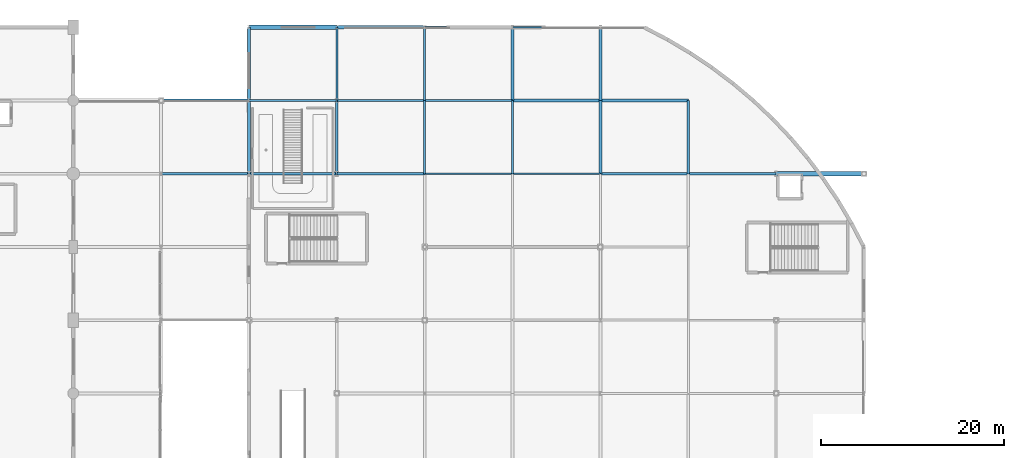
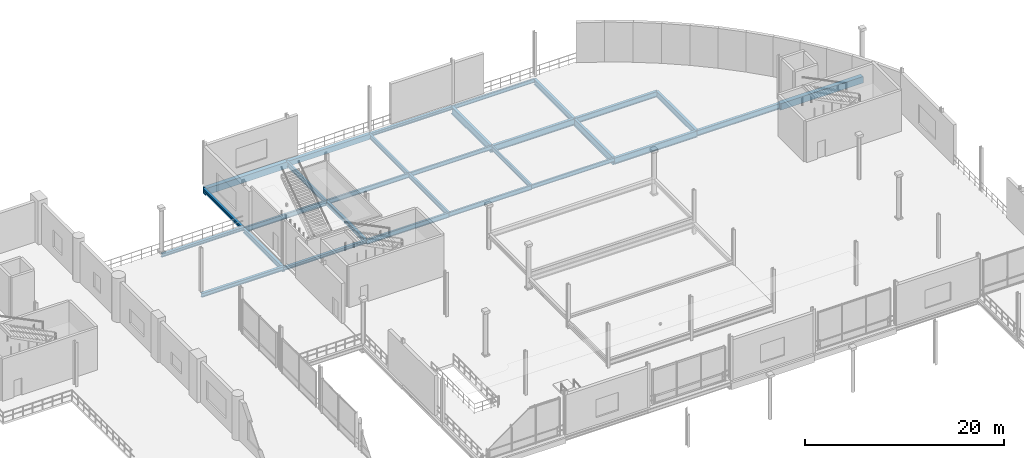
# One storey, part 68 of 129: 29 beams.
"""IFC4 building model written with IfcOpenShell, lengths in metres."""

from ifc_helpers import new_model, si_unit, direction, frame, origin, origin_2d, place, context, subcontext, project, spatial, rectangle, i_section, extrude, material, material_profile, profile_set, type_object, element, save


model = new_model("IFC4")

# Units and contexts
model_context = context("Model", 3, precision=1e-05, world=origin(), true_north=direction((0.0, 1.0)))
body_context = subcontext(model_context, "Body", "Model", "MODEL_VIEW")
ifc_project = project(units=[si_unit("LENGTHUNIT", "METRE"), si_unit("AREAUNIT", "SQUARE_METRE"), si_unit("VOLUMEUNIT", "CUBIC_METRE"), si_unit("PLANEANGLEUNIT", "RADIAN"), si_unit("MASSUNIT", "GRAM", prefix="KILO")], contexts=[model_context])

# Site, building, storey
site_placement = place(None, origin())
site = spatial("IfcSite", under=ifc_project, at=site_placement, CompositionType="ELEMENT")
building_placement = place(site_placement, origin())
building = spatial("IfcBuilding", under=site, at=building_placement, Name="Danafjord Basin Convention Centre", CompositionType="ELEMENT")
storey_placement = place(building_placement, frame((0.0, 0.0, 6.0)))
storey = spatial("IfcBuildingStorey", under=building, at=storey_placement, Name="L01", CompositionType="ELEMENT", Elevation=6.0)

# Beams
ifc_material_1 = material(Name="Steel S355", Category="steel")
ifc_material_profile_1 = material_profile(ifc_material_1, i_section(OverallWidth=0.300048828125, OverallDepth=0.389892578125, WebThickness=0.010986328125, FlangeThickness=0.01904296875, FilletRadius=0.027099609375, at=origin_2d()), Name="HEA 400")
ifc_profile_set_1 = profile_set([ifc_material_profile_1], Name="Steel S355")
beam_type_1 = type_object("IfcBeamType", Name="BEAM-BM-HEA400", PredefinedType="BEAM", material=ifc_profile_set_1)
beam_1_placement = place(storey_placement, frame((134.39990234375, 128.0, -0.554931640625), z_axis=(1.0, 0.0, 0.0), x_axis=(0.0, 1.0, 0.0)))
element("IfcBeam", 1, at=beam_1_placement, inside=storey, type_object=beam_type_1, Name="L01 girder BM-HEA400", PredefinedType="BEAM", context=body_context, shape_type="SweptSolid", body=[
    extrude(i_section(OverallWidth=0.300048828125, OverallDepth=0.389892578125, WebThickness=0.010986328125, FlangeThickness=0.01904296875, FilletRadius=0.027099609375, at=origin_2d()), origin(), (0.0, 0.0, 1.0), 9.60009765625),
])
ifc_material_profile_2 = material_profile(ifc_material_1, i_section(OverallWidth=0.300048828125, OverallDepth=0.489990234375, WebThickness=0.011962890625, FlangeThickness=0.02294921875, FilletRadius=0.027099609375, at=origin_2d()), Name="HEA 500")
ifc_profile_set_2 = profile_set([ifc_material_profile_2], Name="Steel S355")
beam_type_2 = type_object("IfcBeamType", Name="BEAM-BM-HEA500", PredefinedType="BEAM", material=ifc_profile_set_2)
beam_2_placement = place(storey_placement, frame((124.800048828125, 128.0, -0.47509765625), z_axis=(1.0, 0.0, 0.0), x_axis=(0.0, 1.0, 0.0)))
element("IfcBeam", 2, at=beam_2_placement, inside=storey, type_object=beam_type_2, Name="L01 girder BM-HEA500", PredefinedType="BEAM", context=body_context, shape_type="SweptSolid", body=[
    extrude(i_section(OverallWidth=0.300048828125, OverallDepth=0.489990234375, WebThickness=0.011962890625, FlangeThickness=0.02294921875, FilletRadius=0.027099609375, at=origin_2d()), origin(), (0.0, 0.0, 1.0), 9.599853515625),
])
ifc_material_profile_3 = material_profile(ifc_material_1, i_section(OverallWidth=0.300048828125, OverallDepth=0.5, WebThickness=0.014404296875, FlangeThickness=0.028076171875, FilletRadius=0.027099609375, at=origin_2d()), Name="HEB 500")
ifc_profile_set_3 = profile_set([ifc_material_profile_3], Name="Steel S355")
beam_type_3 = type_object("IfcBeamType", Name="BEAM-BM-HEB500", PredefinedType="BEAM", material=ifc_profile_set_3)
beam_3_placement = place(storey_placement, frame((144.0, 128.0, -0.610107421875), z_axis=(0.0, 1.0, 0.0), x_axis=(-1.0, 0.0, 0.0)))
element("IfcBeam", 3, at=beam_3_placement, inside=storey, type_object=beam_type_3, Name="L01 transverse girder BM-HEB500", PredefinedType="BEAM", context=body_context, shape_type="SweptSolid", body=[
    extrude(i_section(OverallWidth=0.300048828125, OverallDepth=0.5, WebThickness=0.014404296875, FlangeThickness=0.028076171875, FilletRadius=0.027099609375, at=origin_2d()), origin(), (0.0, 0.0, 1.0), 8.0),
])
ifc_material_profile_4 = material_profile(ifc_material_1, i_section(OverallWidth=0.300048828125, OverallDepth=0.60009765625, WebThickness=0.015380859375, FlangeThickness=0.030029296875, FilletRadius=0.027099609375, at=origin_2d()), Name="HEB 600")
ifc_profile_set_4 = profile_set([ifc_material_profile_4], Name="Steel S355")
beam_type_4 = type_object("IfcBeamType", Name="BEAM-BM-HEB600", PredefinedType="BEAM", material=ifc_profile_set_4)
beam_4_placement = place(storey_placement, frame((134.39990234375, 128.0, -0.659912109375), z_axis=(0.0, 1.0, 0.0), x_axis=(-1.0, 0.0, 0.0)))
element("IfcBeam", 4, at=beam_4_placement, inside=storey, type_object=beam_type_4, Name="L01 transverse girder BM-HEB600", PredefinedType="BEAM", context=body_context, shape_type="SweptSolid", body=[
    extrude(i_section(OverallWidth=0.300048828125, OverallDepth=0.60009765625, WebThickness=0.015380859375, FlangeThickness=0.030029296875, FilletRadius=0.027099609375, at=origin_2d()), origin(), (0.0, 0.0, 1.0), 8.0),
])
ifc_material_profile_5 = material_profile(ifc_material_1, i_section(OverallWidth=0.300048828125, OverallDepth=0.699951171875, WebThickness=0.01708984375, FlangeThickness=0.031982421875, FilletRadius=0.027099609375, at=origin_2d()), Name="HEB 700")
ifc_profile_set_5 = profile_set([ifc_material_profile_5], Name="Steel S355")
beam_type_5 = type_object("IfcBeamType", Name="BEAM-BM-HEB700", PredefinedType="BEAM", material=ifc_profile_set_5)
beam_5_placement = place(storey_placement, frame((172.800048828125, 136.0, -0.7099609375), z_axis=(1.0, 0.0, 0.0), x_axis=(0.0, 1.0, 0.0)))
element("IfcBeam", 5, at=beam_5_placement, inside=storey, type_object=beam_type_5, Name="L01 girder BM-HEB700", PredefinedType="BEAM", context=body_context, shape_type="SweptSolid", body=[
    extrude(i_section(OverallWidth=0.300048828125, OverallDepth=0.699951171875, WebThickness=0.01708984375, FlangeThickness=0.031982421875, FilletRadius=0.027099609375, at=origin_2d()), origin(), (0.0, 0.0, 1.0), 9.599853515625),
])
beam_6_placement = place(storey_placement, frame((182.39990234375, 128.0, -0.7099609375), z_axis=(1.0, 0.0, 0.0), x_axis=(0.0, 1.0, 0.0)))
element("IfcBeam", 6, at=beam_6_placement, inside=storey, type_object=beam_type_5, Name="L01 girder BM-HEB700", PredefinedType="BEAM", context=body_context, shape_type="SweptSolid", body=[
    extrude(i_section(OverallWidth=0.300048828125, OverallDepth=0.699951171875, WebThickness=0.01708984375, FlangeThickness=0.031982421875, FilletRadius=0.027099609375, at=origin_2d()), origin(), (0.0, 0.0, 1.0), 9.60009765625),
])
for number, where, z_axis, x_axis, name in (
    (7, (172.800048828125, 136.0, -0.7099609375), (0.0, 1.0, 0.0), (-1.0, 0.0, 0.0), "L01 transverse girder BM-HEB700"),
    (8, (182.39990234375, 128.0, -0.7099609375), (0.0, 1.0, 0.0), (-1.0, 0.0, 0.0), "L01 transverse girder BM-HEB700"),
):
    element("IfcBeam", number, at=place(storey_placement, frame(where, z_axis=z_axis, x_axis=x_axis)), inside=storey, type_object=beam_type_5, Name=name, PredefinedType="BEAM", context=body_context, shape_type="SweptSolid", body=[
        extrude(i_section(OverallWidth=0.300048828125, OverallDepth=0.699951171875, WebThickness=0.01708984375, FlangeThickness=0.031982421875, FilletRadius=0.027099609375, at=origin_2d()), origin(), (0.0, 0.0, 1.0), 8.0),
    ])
ifc_material_profile_6 = material_profile(ifc_material_1, i_section(OverallWidth=0.300048828125, OverallDepth=0.800048828125, WebThickness=0.017578125, FlangeThickness=0.032958984375, FilletRadius=0.030029296875, at=origin_2d()), Name="HEB 800")
ifc_profile_set_6 = profile_set([ifc_material_profile_6], Name="Steel S355")
beam_type_6 = type_object("IfcBeamType", Name="BEAM-BM-HEB800", PredefinedType="BEAM", material=ifc_profile_set_6)
beam_7_placement = place(storey_placement, frame((163.199951171875, 136.0, -0.760009765625), z_axis=(1.0, 0.0, 0.0), x_axis=(0.0, 1.0, 0.0)))
element("IfcBeam", 9, at=beam_7_placement, inside=storey, type_object=beam_type_6, Name="L01 girder BM-HEB800", PredefinedType="BEAM", context=body_context, shape_type="SweptSolid", body=[
    extrude(i_section(OverallWidth=0.300048828125, OverallDepth=0.800048828125, WebThickness=0.017578125, FlangeThickness=0.032958984375, FilletRadius=0.030029296875, at=origin_2d()), origin(), (0.0, 0.0, 1.0), 9.60009765625),
])
beam_8_placement = place(storey_placement, frame((172.800048828125, 128.0, -0.760009765625), z_axis=(1.0, 0.0, 0.0), x_axis=(0.0, 1.0, 0.0)))
element("IfcBeam", 10, at=beam_8_placement, inside=storey, type_object=beam_type_6, Name="L01 girder BM-HEB800", PredefinedType="BEAM", context=body_context, shape_type="SweptSolid", body=[
    extrude(i_section(OverallWidth=0.300048828125, OverallDepth=0.800048828125, WebThickness=0.017578125, FlangeThickness=0.032958984375, FilletRadius=0.030029296875, at=origin_2d()), origin(), (0.0, 0.0, 1.0), 9.599853515625),
])
ifc_material_profile_7 = material_profile(ifc_material_1, i_section(OverallWidth=0.300048828125, OverallDepth=0.89990234375, WebThickness=0.0185546875, FlangeThickness=0.034912109375, FilletRadius=0.030029296875, at=origin_2d()), Name="HEB 900")
ifc_profile_set_7 = profile_set([ifc_material_profile_7], Name="Steel S355")
beam_type_7 = type_object("IfcBeamType", Name="BEAM-BM-HEB900", PredefinedType="BEAM", material=ifc_profile_set_7)
for number, where, z_axis, x_axis, name in (
    (11, (163.199951171875, 136.0, -0.81005859375), (0.0, 1.0, 0.0), (-1.0, 0.0, 0.0), "L01 transverse girder BM-HEB900"),
    (12, (172.800048828125, 128.0, -0.81005859375), (0.0, 1.0, 0.0), (-1.0, 0.0, 0.0), "L01 transverse girder BM-HEB900"),
):
    element("IfcBeam", number, at=place(storey_placement, frame(where, z_axis=z_axis, x_axis=x_axis)), inside=storey, type_object=beam_type_7, Name=name, PredefinedType="BEAM", context=body_context, shape_type="SweptSolid", body=[
        extrude(i_section(OverallWidth=0.300048828125, OverallDepth=0.89990234375, WebThickness=0.0185546875, FlangeThickness=0.034912109375, FilletRadius=0.030029296875, at=origin_2d()), origin(), (0.0, 0.0, 1.0), 8.0),
    ])
ifc_material_profile_8 = material_profile(ifc_material_1, i_section(OverallWidth=0.199951171875, OverallDepth=0.5, WebThickness=0.01025390625, FlangeThickness=0.01611328125, FilletRadius=0.02099609375, at=origin_2d()), Name="IPE 500")
ifc_profile_set_8 = profile_set([ifc_material_profile_8], Name="Steel S355")
beam_type_8 = type_object("IfcBeamType", Name="BEAM-BM-IPE500", PredefinedType="BEAM", material=ifc_profile_set_8)
beam_9_placement = place(storey_placement, frame((153.60009765625, 136.0, -0.610107421875), z_axis=(1.0, 0.0, 0.0), x_axis=(0.0, 1.0, 0.0)))
element("IfcBeam", 13, at=beam_9_placement, inside=storey, type_object=beam_type_8, Name="L01 girder BM-IPE500", PredefinedType="BEAM", context=body_context, shape_type="SweptSolid", body=[
    extrude(i_section(OverallWidth=0.199951171875, OverallDepth=0.5, WebThickness=0.01025390625, FlangeThickness=0.01611328125, FilletRadius=0.02099609375, at=origin_2d()), origin(), (0.0, 0.0, 1.0), 9.599853515625),
])
beam_10_placement = place(storey_placement, frame((163.199951171875, 128.0, -0.610107421875), z_axis=(1.0, 0.0, 0.0), x_axis=(0.0, 1.0, 0.0)))
element("IfcBeam", 14, at=beam_10_placement, inside=storey, type_object=beam_type_8, Name="L01 girder BM-IPE500", PredefinedType="BEAM", context=body_context, shape_type="SweptSolid", body=[
    extrude(i_section(OverallWidth=0.199951171875, OverallDepth=0.5, WebThickness=0.01025390625, FlangeThickness=0.01611328125, FilletRadius=0.02099609375, at=origin_2d()), origin(), (0.0, 0.0, 1.0), 9.60009765625),
])
ifc_material_profile_9 = material_profile(ifc_material_1, i_section(OverallWidth=0.2099609375, OverallDepth=0.550048828125, WebThickness=0.010986328125, FlangeThickness=0.01708984375, FilletRadius=0.02392578125, at=origin_2d()), Name="IPE 550")
ifc_profile_set_9 = profile_set([ifc_material_profile_9], Name="Steel S355")
beam_type_9 = type_object("IfcBeamType", Name="BEAM-BM-IPE550", PredefinedType="BEAM", material=ifc_profile_set_9)
beam_11_placement = place(storey_placement, frame((144.0, 136.0, -0.635009765625), z_axis=(1.0, 0.0, 0.0), x_axis=(0.0, 1.0, 0.0)))
element("IfcBeam", 15, at=beam_11_placement, inside=storey, type_object=beam_type_9, Name="L01 girder BM-IPE550", PredefinedType="BEAM", context=body_context, shape_type="SweptSolid", body=[
    extrude(i_section(OverallWidth=0.2099609375, OverallDepth=0.550048828125, WebThickness=0.010986328125, FlangeThickness=0.01708984375, FilletRadius=0.02392578125, at=origin_2d()), origin(), (0.0, 0.0, 1.0), 9.60009765625),
])
beam_12_placement = place(storey_placement, frame((153.60009765625, 128.0, -0.635009765625), z_axis=(1.0, 0.0, 0.0), x_axis=(0.0, 1.0, 0.0)))
element("IfcBeam", 16, at=beam_12_placement, inside=storey, type_object=beam_type_9, Name="L01 girder BM-IPE550", PredefinedType="BEAM", context=body_context, shape_type="SweptSolid", body=[
    extrude(i_section(OverallWidth=0.2099609375, OverallDepth=0.550048828125, WebThickness=0.010986328125, FlangeThickness=0.01708984375, FilletRadius=0.02392578125, at=origin_2d()), origin(), (0.0, 0.0, 1.0), 9.599853515625),
])
for number, where, z_axis, x_axis, name in (
    (17, (153.60009765625, 136.0, -0.635009765625), (0.0, 1.0, 0.0), (-1.0, 0.0, 0.0), "L01 transverse girder BM-IPE550"),
    (18, (163.199951171875, 128.0, -0.635009765625), (0.0, 1.0, 0.0), (-1.0, 0.0, 0.0), "L01 transverse girder BM-IPE550"),
):
    element("IfcBeam", number, at=place(storey_placement, frame(where, z_axis=z_axis, x_axis=x_axis)), inside=storey, type_object=beam_type_9, Name=name, PredefinedType="BEAM", context=body_context, shape_type="SweptSolid", body=[
        extrude(i_section(OverallWidth=0.2099609375, OverallDepth=0.550048828125, WebThickness=0.010986328125, FlangeThickness=0.01708984375, FilletRadius=0.02392578125, at=origin_2d()), origin(), (0.0, 0.0, 1.0), 8.0),
    ])
ifc_material_profile_10 = material_profile(ifc_material_1, i_section(OverallWidth=0.219970703125, OverallDepth=0.60009765625, WebThickness=0.011962890625, FlangeThickness=0.01904296875, FilletRadius=0.02392578125, at=origin_2d()), Name="IPE 600")
ifc_profile_set_10 = profile_set([ifc_material_profile_10], Name="Steel S355")
beam_type_10 = type_object("IfcBeamType", Name="BEAM-BM-IPE600", PredefinedType="BEAM", material=ifc_profile_set_10)
for number, where, z_axis, x_axis, name in (
    (19, (134.39990234375, 136.0, -0.659912109375), (1.0, 0.0, 0.0), (0.0, 1.0, 0.0), "L01 girder BM-IPE600"),
    (20, (144.0, 128.0, -0.659912109375), (1.0, 0.0, 0.0), (0.0, 1.0, 0.0), "L01 girder BM-IPE600"),
):
    element("IfcBeam", number, at=place(storey_placement, frame(where, z_axis=z_axis, x_axis=x_axis)), inside=storey, type_object=beam_type_10, Name=name, PredefinedType="BEAM", context=body_context, shape_type="SweptSolid", body=[
        extrude(i_section(OverallWidth=0.219970703125, OverallDepth=0.60009765625, WebThickness=0.011962890625, FlangeThickness=0.01904296875, FilletRadius=0.02392578125, at=origin_2d()), origin(), (0.0, 0.0, 1.0), 9.60009765625),
    ])
for number, where, z_axis, x_axis, name in (
    (21, (144.0, 136.0, -0.659912109375), (0.0, 1.0, 0.0), (-1.0, 0.0, 0.0), "L01 transverse girder BM-IPE600"),
    (22, (153.60009765625, 128.0, -0.659912109375), (0.0, 1.0, 0.0), (-1.0, 0.0, 0.0), "L01 transverse girder BM-IPE600"),
):
    element("IfcBeam", number, at=place(storey_placement, frame(where, z_axis=z_axis, x_axis=x_axis)), inside=storey, type_object=beam_type_10, Name=name, PredefinedType="BEAM", context=body_context, shape_type="SweptSolid", body=[
        extrude(i_section(OverallWidth=0.219970703125, OverallDepth=0.60009765625, WebThickness=0.011962890625, FlangeThickness=0.01904296875, FilletRadius=0.02392578125, at=origin_2d()), origin(), (0.0, 0.0, 1.0), 8.0),
    ])
ifc_material_profile_11 = material_profile(ifc_material_1, i_section(OverallWidth=0.300048828125, OverallDepth=0.39990234375, WebThickness=0.013427734375, FlangeThickness=0.02392578125, FilletRadius=0.027099609375, at=origin_2d()), Name="HEB 400")
ifc_profile_set_11 = profile_set([ifc_material_profile_11], Name="Steel S355")
beam_type_11 = type_object("IfcBeamType", Name="BEAM-SP-HEB400", PredefinedType="SPANDREL", material=ifc_profile_set_11)
for number, where, z_axis, x_axis, name in (
    (23, (124.800048828125, 136.0, -0.429931640625), (1.0, 0.0, 0.0), (0.0, 1.0, 0.0), "L01 girder SP-HEB400"),
    (24, (153.60009765625, 144.0, -0.56005859375), (1.0, 0.0, 0.0), (0.0, 1.0, 0.0), "L01 girder SP-HEB400"),
):
    element("IfcBeam", number, at=place(storey_placement, frame(where, z_axis=z_axis, x_axis=x_axis)), inside=storey, type_object=beam_type_11, Name=name, PredefinedType="SPANDREL", context=body_context, shape_type="SweptSolid", body=[
        extrude(i_section(OverallWidth=0.300048828125, OverallDepth=0.39990234375, WebThickness=0.013427734375, FlangeThickness=0.02392578125, FilletRadius=0.027099609375, at=origin_2d()), origin(), (0.0, 0.0, 1.0), 9.599853515625),
    ])
ifc_material_profile_12 = material_profile(ifc_material_1, i_section(OverallWidth=0.300048828125, OverallDepth=0.449951171875, WebThickness=0.013916015625, FlangeThickness=0.02587890625, FilletRadius=0.027099609375, at=origin_2d()), Name="HEB 450")
ifc_profile_set_12 = profile_set([ifc_material_profile_12], Name="Steel S355")
beam_type_12 = type_object("IfcBeamType", Name="BEAM-SP-HEB450", PredefinedType="SPANDREL", material=ifc_profile_set_12)
beam_13_placement = place(storey_placement, frame((134.39990234375, 136.0, -0.5849609375), z_axis=(0.0, 1.0, 0.0), x_axis=(-1.0, 0.0, 0.0)))
element("IfcBeam", 25, at=beam_13_placement, inside=storey, type_object=beam_type_12, Name="L01 transverse girder SP-HEB450", PredefinedType="SPANDREL", context=body_context, shape_type="SweptSolid", body=[
    extrude(i_section(OverallWidth=0.300048828125, OverallDepth=0.449951171875, WebThickness=0.013916015625, FlangeThickness=0.02587890625, FilletRadius=0.027099609375, at=origin_2d()), origin(), (0.0, 0.0, 1.0), 8.0),
])
ifc_material_profile_13 = material_profile(ifc_material_1, i_section(OverallWidth=0.18994140625, OverallDepth=0.449951171875, WebThickness=0.009521484375, FlangeThickness=0.0146484375, FilletRadius=0.02099609375, at=origin_2d()), Name="IPE 450")
ifc_profile_set_13 = profile_set([ifc_material_profile_13], Name="Steel S355")
beam_type_13 = type_object("IfcBeamType", Name="BEAM-SP-IPE450", PredefinedType="SPANDREL", material=ifc_profile_set_13)
beam_14_placement = place(storey_placement, frame((163.199951171875, 144.0, -0.5849609375), z_axis=(1.0, 0.0, 0.0), x_axis=(0.0, 1.0, 0.0)))
element("IfcBeam", 26, at=beam_14_placement, inside=storey, type_object=beam_type_13, Name="L01 girder SP-IPE450", PredefinedType="SPANDREL", context=body_context, shape_type="SweptSolid", body=[
    extrude(i_section(OverallWidth=0.18994140625, OverallDepth=0.449951171875, WebThickness=0.009521484375, FlangeThickness=0.0146484375, FilletRadius=0.02099609375, at=origin_2d()), origin(), (0.0, 0.0, 1.0), 9.60009765625),
])
ifc_material_2 = material(Name="Precast concrete C45/55", Category="concrete")
ifc_material_profile_14 = material_profile(ifc_material_2, rectangle(XDim=0.39990234375, YDim=0.64990234375, at=origin_2d()), Name="PCB 400x650")
ifc_profile_set_14 = profile_set([ifc_material_profile_14], Name="Precast concrete C45/55")
beam_type_14 = type_object("IfcBeamType", Name="BEAM-SP-PCB650", PredefinedType="SPANDREL", material=ifc_profile_set_14)
beam_15_placement = place(storey_placement, frame((144.0, 144.0, -0.68505859375), z_axis=(1.0, 0.0, 0.0), x_axis=(0.0, 1.0, 0.0)))
element("IfcBeam", 27, at=beam_15_placement, inside=storey, type_object=beam_type_14, Name="L01 girder SP-PCB650", PredefinedType="SPANDREL", context=body_context, shape_type="SweptSolid", body=[
    extrude(rectangle(XDim=0.39990234375, YDim=0.64990234375, at=origin_2d()), origin(), (0.0, 0.0, 1.0), 9.60009765625),
])
ifc_material_profile_15 = material_profile(ifc_material_2, rectangle(XDim=0.5, YDim=0.800048828125, at=origin_2d()), Name="PCB 500x800")
ifc_profile_set_15 = profile_set([ifc_material_profile_15], Name="Precast concrete C45/55")
beam_type_15 = type_object("IfcBeamType", Name="BEAM-SP-PCB800", PredefinedType="SPANDREL", material=ifc_profile_set_15)
for number, where, z_axis, x_axis, name in (
    (28, (134.39990234375, 144.0, -0.760009765625), (1.0, 0.0, 0.0), (0.0, 1.0, 0.0), "L01 girder SP-PCB800"),
    (29, (192.0, 128.0, -0.760009765625), (1.0, 0.0, 0.0), (0.0, 1.0, 0.0), "L01 girder SP-PCB800"),
):
    element("IfcBeam", number, at=place(storey_placement, frame(where, z_axis=z_axis, x_axis=x_axis)), inside=storey, type_object=beam_type_15, Name=name, PredefinedType="SPANDREL", context=body_context, shape_type="SweptSolid", body=[
        extrude(rectangle(XDim=0.5, YDim=0.800048828125, at=origin_2d()), origin(), (0.0, 0.0, 1.0), 9.60009765625),
    ])

save(model, "model.ifc")
